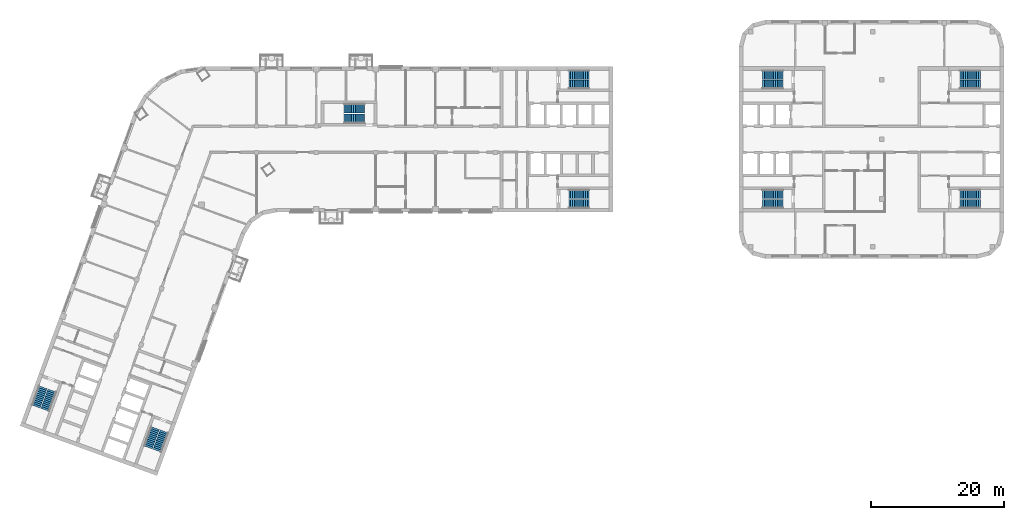
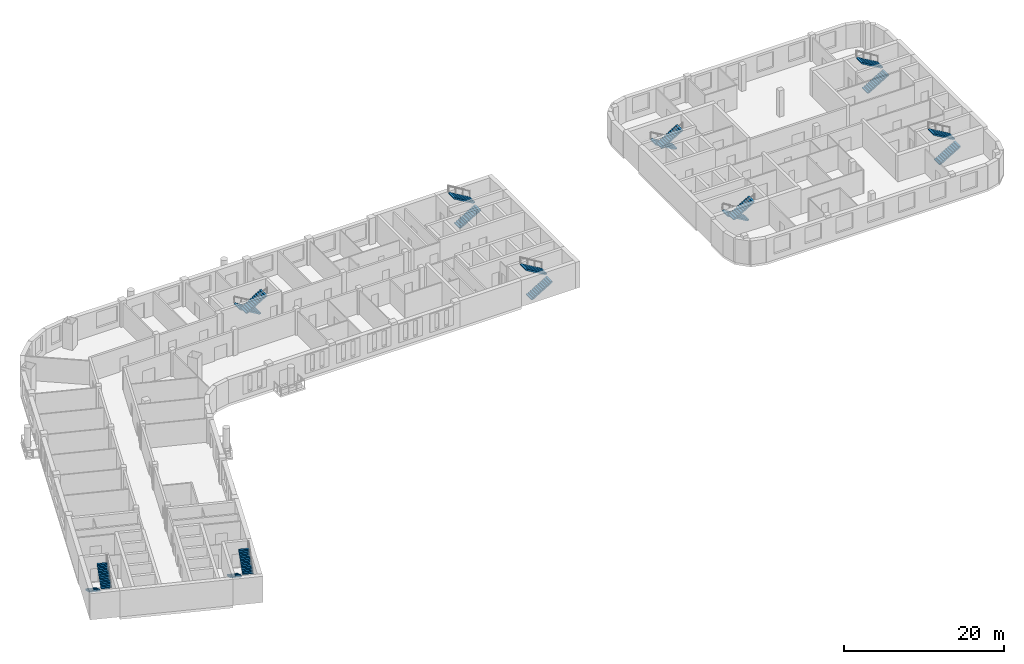
# One storey, part 11 of 16: 18 stair flights, 9 elements without a shape of their own.
"""IFC4 building model written with IfcOpenShell, lengths in metres."""

from ifc_helpers import new_model, si_unit, direction, frame, origin, place, context, subcontext, project, spatial, polyline, outline, extrude, material, type_object, element, aggregate, save


model = new_model("IFC4")

# Units and contexts
model_context = context("Model", 3, precision=1e-05, world=origin(), true_north=direction((0.0, 1.0)))
body_context = subcontext(model_context, "Body", "Model", "MODEL_VIEW")
ifc_project = project(units=[si_unit("LENGTHUNIT", "METRE"), si_unit("AREAUNIT", "SQUARE_METRE"), si_unit("VOLUMEUNIT", "CUBIC_METRE"), si_unit("PLANEANGLEUNIT", "RADIAN"), si_unit("MASSUNIT", "GRAM", prefix="KILO")], contexts=[model_context])

# Site, building, storey
site_placement = place(None, origin())
site = spatial("IfcSite", under=ifc_project, at=site_placement, CompositionType="ELEMENT")
building_placement = place(site_placement, origin())
building = spatial("IfcBuilding", under=site, at=building_placement, Name="Skarvind Civic Tower", CompositionType="ELEMENT")
storey_placement = place(building_placement, frame((0.0, 0.0, 81.0)))
storey = spatial("IfcBuildingStorey", under=building, at=storey_placement, Name="L18", CompositionType="ELEMENT", Elevation=81.0)

# Stair, stair flights
ifc_material = material(Name="Concrete C40/50", Category="concrete")
stair_type_1 = type_object("IfcStairType", Name="Exit stair 1450, half-turn, concrete", PredefinedType="HALF_TURN_STAIR", material=ifc_material)
stair_1_placement = place(storey_placement, origin())
stair_1 = element("IfcStair", 1, at=stair_1_placement, inside=storey, type_object=stair_type_1, Name="Exit stair CM", PredefinedType="HALF_TURN_STAIR")
stair_flight_type_1 = type_object("IfcStairFlightType", Name="Stair flight 1450, concrete", PredefinedType="STRAIGHT", material=ifc_material)
stair_flight_1_placement = place(storey_placement, frame((70.550048828125, 132.675048828125, 0.0), z_axis=(0.0, 0.0, 1.0), x_axis=(-1.0, 0.0, 0.0)))
stair_flight_1 = element("IfcStairFlight", 2, at=stair_flight_1_placement, type_object=stair_flight_type_1, Name="ST-CM flight 1", NumberOfRisers=12, NumberOfTreads=11, PredefinedType="STRAIGHT", RiserHeight=0.166666667, TreadLength=0.28, context=body_context, shape_type="SweptSolid", body=[
    extrude(outline(polyline([(0.0, 0.0), (0.0, 0.166748046875), (0.280029296875, 0.166748046875), (0.280029296875, 0.333251953125), (0.56005859375, 0.333251953125), (0.56005859375, 0.5), (0.840087890625, 0.5), (0.840087890625, 0.666748046875), (1.1201171875, 0.666748046875), (1.1201171875, 0.833251953125), (1.39990234375, 0.833251953125), (1.39990234375, 1.0), (1.679931640625, 1.0), (1.679931640625, 1.166748046875), (1.9599609375, 1.166748046875), (1.9599609375, 1.333251953125), (2.239990234375, 1.333251953125), (2.239990234375, 1.5), (2.52001953125, 1.5), (2.52001953125, 1.666748046875), (2.800048828125, 1.666748046875), (2.800048828125, 1.833251953125), (3.080078125, 1.833251953125), (3.080078125, 2.0), (3.080078125, 1.658935546875), (0.29296875, 0.0), (0.0, 0.0)])), frame((0.0, 0.72509765625, 0.0), z_axis=(0.0, -1.0, 0.0), x_axis=(1.0, 0.0, 0.0)), (0.0, 0.0, 1.0), 1.449951171875),
])
stair_flight_2_placement = place(storey_placement, frame((67.469970703125, 131.125, 2.0), z_axis=(0.0, 0.0, 1.0), x_axis=(1.0, 0.0, 0.0)))
stair_flight_2 = element("IfcStairFlight", 3, at=stair_flight_2_placement, type_object=stair_flight_type_1, Name="ST-CM flight 2", NumberOfRisers=12, NumberOfTreads=11, PredefinedType="STRAIGHT", RiserHeight=0.166666667, TreadLength=0.28, context=body_context, shape_type="SweptSolid", body=[
    extrude(outline(polyline([(0.0, 0.0), (0.0, 0.166748046875), (0.280029296875, 0.166748046875), (0.280029296875, 0.333251953125), (0.56005859375, 0.333251953125), (0.56005859375, 0.5), (0.840087890625, 0.5), (0.840087890625, 0.666748046875), (1.1201171875, 0.666748046875), (1.1201171875, 0.833251953125), (1.39990234375, 0.833251953125), (1.39990234375, 1.0), (1.679931640625, 1.0), (1.679931640625, 1.166748046875), (1.9599609375, 1.166748046875), (1.9599609375, 1.333251953125), (2.239990234375, 1.333251953125), (2.239990234375, 1.5), (2.52001953125, 1.5), (2.52001953125, 1.666748046875), (2.800048828125, 1.666748046875), (2.800048828125, 1.833251953125), (3.080078125, 1.833251953125), (3.080078125, 2.0), (3.080078125, 1.658935546875), (0.29296875, 0.0), (0.0, 0.0)])), frame((0.0, 0.72509765625, 0.0), z_axis=(0.0, -1.0, 0.0), x_axis=(1.0, 0.0, 0.0)), (0.0, 0.0, 1.0), 1.449951171875),
])
aggregate(stair_1, [stair_flight_1, stair_flight_2])

stair_type_2 = type_object("IfcStairType", Name="Exit stair, half-turn, concrete", PredefinedType="HALF_TURN_STAIR", material=ifc_material)
stair_2_placement = place(storey_placement, origin())
stair_2 = element("IfcStair", 4, at=stair_2_placement, inside=storey, type_object=stair_type_2, Name="Exit stair C1S", PredefinedType="HALF_TURN_STAIR")
stair_flight_type_2 = type_object("IfcStairFlightType", Name="Stair flight, concrete", PredefinedType="STRAIGHT", material=ifc_material)
stair_flight_3_placement = place(storey_placement, frame((101.35009765625, 136.27490234375, 0.0), z_axis=(0.0, 0.0, 1.0), x_axis=(1.0, 0.0, 0.0)))
stair_flight_3 = element("IfcStairFlight", 5, at=stair_flight_3_placement, type_object=stair_flight_type_2, Name="ST-C1S flight 1", NumberOfRisers=12, NumberOfTreads=11, PredefinedType="STRAIGHT", RiserHeight=0.166666667, TreadLength=0.28, context=body_context, shape_type="SweptSolid", body=[
    extrude(outline(polyline([(0.0, 0.0), (0.0, 0.166748046875), (0.280029296875, 0.166748046875), (0.280029296875, 0.333251953125), (0.56005859375, 0.333251953125), (0.56005859375, 0.5), (0.840087890625, 0.5), (0.840087890625, 0.666748046875), (1.1201171875, 0.666748046875), (1.1201171875, 0.833251953125), (1.39990234375, 0.833251953125), (1.39990234375, 1.0), (1.679931640625, 1.0), (1.679931640625, 1.166748046875), (1.9599609375, 1.166748046875), (1.9599609375, 1.333251953125), (2.239990234375, 1.333251953125), (2.239990234375, 1.5), (2.52001953125, 1.5), (2.52001953125, 1.666748046875), (2.800048828125, 1.666748046875), (2.800048828125, 1.833251953125), (3.080078125, 1.833251953125), (3.080078125, 2.0), (3.080078125, 1.658935546875), (0.29296875, 0.0), (0.0, 0.0)])), frame((0.0, 0.675048828125, 0.0), z_axis=(0.0, -1.0, 0.0), x_axis=(1.0, 0.0, 0.0)), (0.0, 0.0, 1.0), 1.35009765625),
])
stair_flight_4_placement = place(storey_placement, frame((104.429931640625, 137.72509765625, 2.0), z_axis=(0.0, 0.0, 1.0), x_axis=(-1.0, 0.0, 0.0)))
stair_flight_4 = element("IfcStairFlight", 6, at=stair_flight_4_placement, type_object=stair_flight_type_2, Name="ST-C1S flight 2", NumberOfRisers=12, NumberOfTreads=11, PredefinedType="STRAIGHT", RiserHeight=0.166666667, TreadLength=0.28, context=body_context, shape_type="SweptSolid", body=[
    extrude(outline(polyline([(0.0, 0.0), (0.0, 0.166748046875), (0.280029296875, 0.166748046875), (0.280029296875, 0.333251953125), (0.56005859375, 0.333251953125), (0.56005859375, 0.5), (0.840087890625, 0.5), (0.840087890625, 0.666748046875), (1.1201171875, 0.666748046875), (1.1201171875, 0.833251953125), (1.39990234375, 0.833251953125), (1.39990234375, 1.0), (1.679931640625, 1.0), (1.679931640625, 1.166748046875), (1.9599609375, 1.166748046875), (1.9599609375, 1.333251953125), (2.239990234375, 1.333251953125), (2.239990234375, 1.5), (2.52001953125, 1.5), (2.52001953125, 1.666748046875), (2.800048828125, 1.666748046875), (2.800048828125, 1.833251953125), (3.080078125, 1.833251953125), (3.080078125, 2.0), (3.080078125, 1.658935546875), (0.29296875, 0.0), (0.0, 0.0)])), frame((0.0, 0.675048828125, 0.0), z_axis=(0.0, -1.0, 0.0), x_axis=(1.0, 0.0, 0.0)), (0.0, 0.0, 1.0), 1.35009765625),
])
aggregate(stair_2, [stair_flight_3, stair_flight_4])

stair_3_placement = place(storey_placement, origin())
stair_3 = element("IfcStair", 7, at=stair_3_placement, inside=storey, type_object=stair_type_2, Name="Exit stair C1N", PredefinedType="HALF_TURN_STAIR")
stair_flight_5_placement = place(storey_placement, frame((101.35009765625, 118.27490234375, 0.0), z_axis=(0.0, 0.0, 1.0), x_axis=(1.0, 0.0, 0.0)))
stair_flight_5 = element("IfcStairFlight", 8, at=stair_flight_5_placement, type_object=stair_flight_type_2, Name="ST-C1N flight 1", NumberOfRisers=12, NumberOfTreads=11, PredefinedType="STRAIGHT", RiserHeight=0.166666667, TreadLength=0.28, context=body_context, shape_type="SweptSolid", body=[
    extrude(outline(polyline([(0.0, 0.0), (0.0, 0.166748046875), (0.280029296875, 0.166748046875), (0.280029296875, 0.333251953125), (0.56005859375, 0.333251953125), (0.56005859375, 0.5), (0.840087890625, 0.5), (0.840087890625, 0.666748046875), (1.1201171875, 0.666748046875), (1.1201171875, 0.833251953125), (1.39990234375, 0.833251953125), (1.39990234375, 1.0), (1.679931640625, 1.0), (1.679931640625, 1.166748046875), (1.9599609375, 1.166748046875), (1.9599609375, 1.333251953125), (2.239990234375, 1.333251953125), (2.239990234375, 1.5), (2.52001953125, 1.5), (2.52001953125, 1.666748046875), (2.800048828125, 1.666748046875), (2.800048828125, 1.833251953125), (3.080078125, 1.833251953125), (3.080078125, 2.0), (3.080078125, 1.658935546875), (0.29296875, 0.0), (0.0, 0.0)])), frame((0.0, 0.675048828125, 0.0), z_axis=(0.0, -1.0, 0.0), x_axis=(1.0, 0.0, 0.0)), (0.0, 0.0, 1.0), 1.35009765625),
])
stair_flight_6_placement = place(storey_placement, frame((104.429931640625, 119.72509765625, 2.0), z_axis=(0.0, 0.0, 1.0), x_axis=(-1.0, 0.0, 0.0)))
stair_flight_6 = element("IfcStairFlight", 9, at=stair_flight_6_placement, type_object=stair_flight_type_2, Name="ST-C1N flight 2", NumberOfRisers=12, NumberOfTreads=11, PredefinedType="STRAIGHT", RiserHeight=0.166666667, TreadLength=0.28, context=body_context, shape_type="SweptSolid", body=[
    extrude(outline(polyline([(0.0, 0.0), (0.0, 0.166748046875), (0.280029296875, 0.166748046875), (0.280029296875, 0.333251953125), (0.56005859375, 0.333251953125), (0.56005859375, 0.5), (0.840087890625, 0.5), (0.840087890625, 0.666748046875), (1.1201171875, 0.666748046875), (1.1201171875, 0.833251953125), (1.39990234375, 0.833251953125), (1.39990234375, 1.0), (1.679931640625, 1.0), (1.679931640625, 1.166748046875), (1.9599609375, 1.166748046875), (1.9599609375, 1.333251953125), (2.239990234375, 1.333251953125), (2.239990234375, 1.5), (2.52001953125, 1.5), (2.52001953125, 1.666748046875), (2.800048828125, 1.666748046875), (2.800048828125, 1.833251953125), (3.080078125, 1.833251953125), (3.080078125, 2.0), (3.080078125, 1.658935546875), (0.29296875, 0.0), (0.0, 0.0)])), frame((0.0, 0.675048828125, 0.0), z_axis=(0.0, -1.0, 0.0), x_axis=(1.0, 0.0, 0.0)), (0.0, 0.0, 1.0), 1.35009765625),
])
aggregate(stair_3, [stair_flight_5, stair_flight_6])

stair_4_placement = place(storey_placement, origin())
stair_4 = element("IfcStair", 10, at=stair_4_placement, inside=storey, type_object=stair_type_2, Name="Exit stair C2S", PredefinedType="HALF_TURN_STAIR")
stair_flight_7_placement = place(storey_placement, frame((38.949462890625, 84.43408203125, 0.0), z_axis=(0.0, 0.0, 1.0), x_axis=(-0.342020143326, -0.939692620786, 0.0)))
stair_flight_7 = element("IfcStairFlight", 11, at=stair_flight_7_placement, type_object=stair_flight_type_2, Name="ST-C2S flight 1", NumberOfRisers=12, NumberOfTreads=11, PredefinedType="STRAIGHT", RiserHeight=0.166666667, TreadLength=0.28, context=body_context, shape_type="SweptSolid", body=[
    extrude(outline(polyline([(0.0, 0.0), (0.0, 0.166748046875), (0.280029296875, 0.166748046875), (0.280029296875, 0.333251953125), (0.56005859375, 0.333251953125), (0.56005859375, 0.5), (0.840087890625, 0.5), (0.840087890625, 0.666748046875), (1.1201171875, 0.666748046875), (1.1201171875, 0.833251953125), (1.39990234375, 0.833251953125), (1.39990234375, 1.0), (1.679931640625, 1.0), (1.679931640625, 1.166748046875), (1.9599609375, 1.166748046875), (1.9599609375, 1.333251953125), (2.239990234375, 1.333251953125), (2.239990234375, 1.5), (2.52001953125, 1.5), (2.52001953125, 1.666748046875), (2.800048828125, 1.666748046875), (2.800048828125, 1.833251953125), (3.080078125, 1.833251953125), (3.080078125, 2.0), (3.080078125, 1.658935546875), (0.29296875, 0.0), (0.0, 0.0)])), frame((0.0, 0.675048828125, 0.0), z_axis=(0.0, -1.0, 0.0), x_axis=(1.0, 0.0, 0.0)), (0.0, 0.0, 1.0), 1.35009765625),
])
stair_flight_8_placement = place(storey_placement, frame((39.258544921875, 81.0439453125, 2.0), z_axis=(0.0, 0.0, 1.0), x_axis=(0.342020143326, 0.939692620786, 0.0)))
stair_flight_8 = element("IfcStairFlight", 12, at=stair_flight_8_placement, type_object=stair_flight_type_2, Name="ST-C2S flight 2", NumberOfRisers=12, NumberOfTreads=11, PredefinedType="STRAIGHT", RiserHeight=0.166666667, TreadLength=0.28, context=body_context, shape_type="SweptSolid", body=[
    extrude(outline(polyline([(0.0, 0.0), (0.0, 0.166748046875), (0.280029296875, 0.166748046875), (0.280029296875, 0.333251953125), (0.56005859375, 0.333251953125), (0.56005859375, 0.5), (0.840087890625, 0.5), (0.840087890625, 0.666748046875), (1.1201171875, 0.666748046875), (1.1201171875, 0.833251953125), (1.39990234375, 0.833251953125), (1.39990234375, 1.0), (1.679931640625, 1.0), (1.679931640625, 1.166748046875), (1.9599609375, 1.166748046875), (1.9599609375, 1.333251953125), (2.239990234375, 1.333251953125), (2.239990234375, 1.5), (2.52001953125, 1.5), (2.52001953125, 1.666748046875), (2.800048828125, 1.666748046875), (2.800048828125, 1.833251953125), (3.080078125, 1.833251953125), (3.080078125, 2.0), (3.080078125, 1.658935546875), (0.29296875, 0.0), (0.0, 0.0)])), frame((0.0, 0.675048828125, 0.0), z_axis=(0.0, -1.0, 0.0), x_axis=(1.0, 0.0, 0.0)), (0.0, 0.0, 1.0), 1.35009765625),
])
aggregate(stair_4, [stair_flight_7, stair_flight_8])

stair_5_placement = place(storey_placement, origin())
stair_5 = element("IfcStair", 13, at=stair_5_placement, inside=storey, type_object=stair_type_2, Name="Exit stair C2N", PredefinedType="HALF_TURN_STAIR")
stair_flight_9_placement = place(storey_placement, frame((22.034912109375, 90.590576171875, 0.0), z_axis=(0.0, 0.0, 1.0), x_axis=(-0.342020143326, -0.939692620786, 0.0)))
stair_flight_9 = element("IfcStairFlight", 14, at=stair_flight_9_placement, type_object=stair_flight_type_2, Name="ST-C2N flight 1", NumberOfRisers=12, NumberOfTreads=11, PredefinedType="STRAIGHT", RiserHeight=0.166666667, TreadLength=0.28, context=body_context, shape_type="SweptSolid", body=[
    extrude(outline(polyline([(0.0, 0.0), (0.0, 0.166748046875), (0.280029296875, 0.166748046875), (0.280029296875, 0.333251953125), (0.56005859375, 0.333251953125), (0.56005859375, 0.5), (0.840087890625, 0.5), (0.840087890625, 0.666748046875), (1.1201171875, 0.666748046875), (1.1201171875, 0.833251953125), (1.39990234375, 0.833251953125), (1.39990234375, 1.0), (1.679931640625, 1.0), (1.679931640625, 1.166748046875), (1.9599609375, 1.166748046875), (1.9599609375, 1.333251953125), (2.239990234375, 1.333251953125), (2.239990234375, 1.5), (2.52001953125, 1.5), (2.52001953125, 1.666748046875), (2.800048828125, 1.666748046875), (2.800048828125, 1.833251953125), (3.080078125, 1.833251953125), (3.080078125, 2.0), (3.080078125, 1.658935546875), (0.29296875, 0.0), (0.0, 0.0)])), frame((0.0, 0.675048828125, 0.0), z_axis=(0.0, -1.0, 0.0), x_axis=(1.0, 0.0, 0.0)), (0.0, 0.0, 1.0), 1.35009765625),
])
stair_flight_10_placement = place(storey_placement, frame((22.343994140625, 87.2001953125, 2.0), z_axis=(0.0, 0.0, 1.0), x_axis=(0.342020143326, 0.939692620786, 0.0)))
stair_flight_10 = element("IfcStairFlight", 15, at=stair_flight_10_placement, type_object=stair_flight_type_2, Name="ST-C2N flight 2", NumberOfRisers=12, NumberOfTreads=11, PredefinedType="STRAIGHT", RiserHeight=0.166666667, TreadLength=0.28, context=body_context, shape_type="SweptSolid", body=[
    extrude(outline(polyline([(0.0, 0.0), (0.0, 0.166748046875), (0.280029296875, 0.166748046875), (0.280029296875, 0.333251953125), (0.56005859375, 0.333251953125), (0.56005859375, 0.5), (0.840087890625, 0.5), (0.840087890625, 0.666748046875), (1.1201171875, 0.666748046875), (1.1201171875, 0.833251953125), (1.39990234375, 0.833251953125), (1.39990234375, 1.0), (1.679931640625, 1.0), (1.679931640625, 1.166748046875), (1.9599609375, 1.166748046875), (1.9599609375, 1.333251953125), (2.239990234375, 1.333251953125), (2.239990234375, 1.5), (2.52001953125, 1.5), (2.52001953125, 1.666748046875), (2.800048828125, 1.666748046875), (2.800048828125, 1.833251953125), (3.080078125, 1.833251953125), (3.080078125, 2.0), (3.080078125, 1.658935546875), (0.29296875, 0.0), (0.0, 0.0)])), frame((0.0, 0.675048828125, 0.0), z_axis=(0.0, -1.0, 0.0), x_axis=(1.0, 0.0, 0.0)), (0.0, 0.0, 1.0), 1.35009765625),
])
aggregate(stair_5, [stair_flight_9, stair_flight_10])

stair_6_placement = place(storey_placement, origin())
stair_6 = element("IfcStair", 16, at=stair_6_placement, inside=storey, type_object=stair_type_2, Name="Exit stair CAS", PredefinedType="HALF_TURN_STAIR")
stair_flight_11_placement = place(storey_placement, frame((133.64990234375, 119.72509765625, 0.0), z_axis=(0.0, 0.0, 1.0), x_axis=(-1.0, 0.0, 0.0)))
stair_flight_11 = element("IfcStairFlight", 17, at=stair_flight_11_placement, type_object=stair_flight_type_2, Name="ST-CAS flight 1", NumberOfRisers=12, NumberOfTreads=11, PredefinedType="STRAIGHT", RiserHeight=0.166666667, TreadLength=0.28, context=body_context, shape_type="SweptSolid", body=[
    extrude(outline(polyline([(0.0, 0.0), (0.0, 0.166748046875), (0.280029296875, 0.166748046875), (0.280029296875, 0.333251953125), (0.56005859375, 0.333251953125), (0.56005859375, 0.5), (0.840087890625, 0.5), (0.840087890625, 0.666748046875), (1.1201171875, 0.666748046875), (1.1201171875, 0.833251953125), (1.39990234375, 0.833251953125), (1.39990234375, 1.0), (1.679931640625, 1.0), (1.679931640625, 1.166748046875), (1.9599609375, 1.166748046875), (1.9599609375, 1.333251953125), (2.239990234375, 1.333251953125), (2.239990234375, 1.5), (2.52001953125, 1.5), (2.52001953125, 1.666748046875), (2.800048828125, 1.666748046875), (2.800048828125, 1.833251953125), (3.080078125, 1.833251953125), (3.080078125, 2.0), (3.080078125, 1.658935546875), (0.29296875, 0.0), (0.0, 0.0)])), frame((0.0, 0.675048828125, 0.0), z_axis=(0.0, -1.0, 0.0), x_axis=(1.0, 0.0, 0.0)), (0.0, 0.0, 1.0), 1.35009765625),
])
stair_flight_12_placement = place(storey_placement, frame((130.570068359375, 118.27490234375, 2.0), z_axis=(0.0, 0.0, 1.0), x_axis=(1.0, 0.0, 0.0)))
stair_flight_12 = element("IfcStairFlight", 18, at=stair_flight_12_placement, type_object=stair_flight_type_2, Name="ST-CAS flight 2", NumberOfRisers=12, NumberOfTreads=11, PredefinedType="STRAIGHT", RiserHeight=0.166666667, TreadLength=0.28, context=body_context, shape_type="SweptSolid", body=[
    extrude(outline(polyline([(0.0, 0.0), (0.0, 0.166748046875), (0.280029296875, 0.166748046875), (0.280029296875, 0.333251953125), (0.56005859375, 0.333251953125), (0.56005859375, 0.5), (0.840087890625, 0.5), (0.840087890625, 0.666748046875), (1.1201171875, 0.666748046875), (1.1201171875, 0.833251953125), (1.39990234375, 0.833251953125), (1.39990234375, 1.0), (1.679931640625, 1.0), (1.679931640625, 1.166748046875), (1.9599609375, 1.166748046875), (1.9599609375, 1.333251953125), (2.239990234375, 1.333251953125), (2.239990234375, 1.5), (2.52001953125, 1.5), (2.52001953125, 1.666748046875), (2.800048828125, 1.666748046875), (2.800048828125, 1.833251953125), (3.080078125, 1.833251953125), (3.080078125, 2.0), (3.080078125, 1.658935546875), (0.29296875, 0.0), (0.0, 0.0)])), frame((0.0, 0.675048828125, 0.0), z_axis=(0.0, -1.0, 0.0), x_axis=(1.0, 0.0, 0.0)), (0.0, 0.0, 1.0), 1.35009765625),
])
aggregate(stair_6, [stair_flight_11, stair_flight_12])

stair_7_placement = place(storey_placement, origin())
stair_7 = element("IfcStair", 19, at=stair_7_placement, inside=storey, type_object=stair_type_2, Name="Exit stair CAN", PredefinedType="HALF_TURN_STAIR")
stair_flight_13_placement = place(storey_placement, frame((133.64990234375, 137.72509765625, 0.0), z_axis=(0.0, 0.0, 1.0), x_axis=(-1.0, 0.0, 0.0)))
stair_flight_13 = element("IfcStairFlight", 20, at=stair_flight_13_placement, type_object=stair_flight_type_2, Name="ST-CAN flight 1", NumberOfRisers=12, NumberOfTreads=11, PredefinedType="STRAIGHT", RiserHeight=0.166666667, TreadLength=0.28, context=body_context, shape_type="SweptSolid", body=[
    extrude(outline(polyline([(0.0, 0.0), (0.0, 0.166748046875), (0.280029296875, 0.166748046875), (0.280029296875, 0.333251953125), (0.56005859375, 0.333251953125), (0.56005859375, 0.5), (0.840087890625, 0.5), (0.840087890625, 0.666748046875), (1.1201171875, 0.666748046875), (1.1201171875, 0.833251953125), (1.39990234375, 0.833251953125), (1.39990234375, 1.0), (1.679931640625, 1.0), (1.679931640625, 1.166748046875), (1.9599609375, 1.166748046875), (1.9599609375, 1.333251953125), (2.239990234375, 1.333251953125), (2.239990234375, 1.5), (2.52001953125, 1.5), (2.52001953125, 1.666748046875), (2.800048828125, 1.666748046875), (2.800048828125, 1.833251953125), (3.080078125, 1.833251953125), (3.080078125, 2.0), (3.080078125, 1.658935546875), (0.29296875, 0.0), (0.0, 0.0)])), frame((0.0, 0.675048828125, 0.0), z_axis=(0.0, -1.0, 0.0), x_axis=(1.0, 0.0, 0.0)), (0.0, 0.0, 1.0), 1.35009765625),
])
stair_flight_14_placement = place(storey_placement, frame((130.570068359375, 136.27490234375, 2.0), z_axis=(0.0, 0.0, 1.0), x_axis=(1.0, 0.0, 0.0)))
stair_flight_14 = element("IfcStairFlight", 21, at=stair_flight_14_placement, type_object=stair_flight_type_2, Name="ST-CAN flight 2", NumberOfRisers=12, NumberOfTreads=11, PredefinedType="STRAIGHT", RiserHeight=0.166666667, TreadLength=0.28, context=body_context, shape_type="SweptSolid", body=[
    extrude(outline(polyline([(0.0, 0.0), (0.0, 0.166748046875), (0.280029296875, 0.166748046875), (0.280029296875, 0.333251953125), (0.56005859375, 0.333251953125), (0.56005859375, 0.5), (0.840087890625, 0.5), (0.840087890625, 0.666748046875), (1.1201171875, 0.666748046875), (1.1201171875, 0.833251953125), (1.39990234375, 0.833251953125), (1.39990234375, 1.0), (1.679931640625, 1.0), (1.679931640625, 1.166748046875), (1.9599609375, 1.166748046875), (1.9599609375, 1.333251953125), (2.239990234375, 1.333251953125), (2.239990234375, 1.5), (2.52001953125, 1.5), (2.52001953125, 1.666748046875), (2.800048828125, 1.666748046875), (2.800048828125, 1.833251953125), (3.080078125, 1.833251953125), (3.080078125, 2.0), (3.080078125, 1.658935546875), (0.29296875, 0.0), (0.0, 0.0)])), frame((0.0, 0.675048828125, 0.0), z_axis=(0.0, -1.0, 0.0), x_axis=(1.0, 0.0, 0.0)), (0.0, 0.0, 1.0), 1.35009765625),
])
aggregate(stair_7, [stair_flight_13, stair_flight_14])

stair_8_placement = place(storey_placement, origin())
stair_8 = element("IfcStair", 22, at=stair_8_placement, inside=storey, type_object=stair_type_2, Name="Exit stair CBS", PredefinedType="HALF_TURN_STAIR")
stair_flight_15_placement = place(storey_placement, frame((160.35009765625, 136.27490234375, 0.0), z_axis=(0.0, 0.0, 1.0), x_axis=(1.0, 0.0, 0.0)))
stair_flight_15 = element("IfcStairFlight", 23, at=stair_flight_15_placement, type_object=stair_flight_type_2, Name="ST-CBS flight 1", NumberOfRisers=12, NumberOfTreads=11, PredefinedType="STRAIGHT", RiserHeight=0.166666667, TreadLength=0.28, context=body_context, shape_type="SweptSolid", body=[
    extrude(outline(polyline([(0.0, 0.0), (0.0, 0.166748046875), (0.280029296875, 0.166748046875), (0.280029296875, 0.333251953125), (0.56005859375, 0.333251953125), (0.56005859375, 0.5), (0.840087890625, 0.5), (0.840087890625, 0.666748046875), (1.1201171875, 0.666748046875), (1.1201171875, 0.833251953125), (1.39990234375, 0.833251953125), (1.39990234375, 1.0), (1.679931640625, 1.0), (1.679931640625, 1.166748046875), (1.9599609375, 1.166748046875), (1.9599609375, 1.333251953125), (2.239990234375, 1.333251953125), (2.239990234375, 1.5), (2.52001953125, 1.5), (2.52001953125, 1.666748046875), (2.800048828125, 1.666748046875), (2.800048828125, 1.833251953125), (3.080078125, 1.833251953125), (3.080078125, 2.0), (3.080078125, 1.658935546875), (0.29296875, 0.0), (0.0, 0.0)])), frame((0.0, 0.675048828125, 0.0), z_axis=(0.0, -1.0, 0.0), x_axis=(1.0, 0.0, 0.0)), (0.0, 0.0, 1.0), 1.35009765625),
])
stair_flight_16_placement = place(storey_placement, frame((163.429931640625, 137.72509765625, 2.0), z_axis=(0.0, 0.0, 1.0), x_axis=(-1.0, 0.0, 0.0)))
stair_flight_16 = element("IfcStairFlight", 24, at=stair_flight_16_placement, type_object=stair_flight_type_2, Name="ST-CBS flight 2", NumberOfRisers=12, NumberOfTreads=11, PredefinedType="STRAIGHT", RiserHeight=0.166666667, TreadLength=0.28, context=body_context, shape_type="SweptSolid", body=[
    extrude(outline(polyline([(0.0, 0.0), (0.0, 0.166748046875), (0.280029296875, 0.166748046875), (0.280029296875, 0.333251953125), (0.56005859375, 0.333251953125), (0.56005859375, 0.5), (0.840087890625, 0.5), (0.840087890625, 0.666748046875), (1.1201171875, 0.666748046875), (1.1201171875, 0.833251953125), (1.39990234375, 0.833251953125), (1.39990234375, 1.0), (1.679931640625, 1.0), (1.679931640625, 1.166748046875), (1.9599609375, 1.166748046875), (1.9599609375, 1.333251953125), (2.239990234375, 1.333251953125), (2.239990234375, 1.5), (2.52001953125, 1.5), (2.52001953125, 1.666748046875), (2.800048828125, 1.666748046875), (2.800048828125, 1.833251953125), (3.080078125, 1.833251953125), (3.080078125, 2.0), (3.080078125, 1.658935546875), (0.29296875, 0.0), (0.0, 0.0)])), frame((0.0, 0.675048828125, 0.0), z_axis=(0.0, -1.0, 0.0), x_axis=(1.0, 0.0, 0.0)), (0.0, 0.0, 1.0), 1.35009765625),
])
aggregate(stair_8, [stair_flight_15, stair_flight_16])

stair_9_placement = place(storey_placement, origin())
stair_9 = element("IfcStair", 25, at=stair_9_placement, inside=storey, type_object=stair_type_2, Name="Exit stair CBN", PredefinedType="HALF_TURN_STAIR")
stair_flight_17_placement = place(storey_placement, frame((160.35009765625, 118.27490234375, 0.0), z_axis=(0.0, 0.0, 1.0), x_axis=(1.0, 0.0, 0.0)))
stair_flight_17 = element("IfcStairFlight", 26, at=stair_flight_17_placement, type_object=stair_flight_type_2, Name="ST-CBN flight 1", NumberOfRisers=12, NumberOfTreads=11, PredefinedType="STRAIGHT", RiserHeight=0.166666667, TreadLength=0.28, context=body_context, shape_type="SweptSolid", body=[
    extrude(outline(polyline([(0.0, 0.0), (0.0, 0.166748046875), (0.280029296875, 0.166748046875), (0.280029296875, 0.333251953125), (0.56005859375, 0.333251953125), (0.56005859375, 0.5), (0.840087890625, 0.5), (0.840087890625, 0.666748046875), (1.1201171875, 0.666748046875), (1.1201171875, 0.833251953125), (1.39990234375, 0.833251953125), (1.39990234375, 1.0), (1.679931640625, 1.0), (1.679931640625, 1.166748046875), (1.9599609375, 1.166748046875), (1.9599609375, 1.333251953125), (2.239990234375, 1.333251953125), (2.239990234375, 1.5), (2.52001953125, 1.5), (2.52001953125, 1.666748046875), (2.800048828125, 1.666748046875), (2.800048828125, 1.833251953125), (3.080078125, 1.833251953125), (3.080078125, 2.0), (3.080078125, 1.658935546875), (0.29296875, 0.0), (0.0, 0.0)])), frame((0.0, 0.675048828125, 0.0), z_axis=(0.0, -1.0, 0.0), x_axis=(1.0, 0.0, 0.0)), (0.0, 0.0, 1.0), 1.35009765625),
])
stair_flight_18_placement = place(storey_placement, frame((163.429931640625, 119.72509765625, 2.0), z_axis=(0.0, 0.0, 1.0), x_axis=(-1.0, 0.0, 0.0)))
stair_flight_18 = element("IfcStairFlight", 27, at=stair_flight_18_placement, type_object=stair_flight_type_2, Name="ST-CBN flight 2", NumberOfRisers=12, NumberOfTreads=11, PredefinedType="STRAIGHT", RiserHeight=0.166666667, TreadLength=0.28, context=body_context, shape_type="SweptSolid", body=[
    extrude(outline(polyline([(0.0, 0.0), (0.0, 0.166748046875), (0.280029296875, 0.166748046875), (0.280029296875, 0.333251953125), (0.56005859375, 0.333251953125), (0.56005859375, 0.5), (0.840087890625, 0.5), (0.840087890625, 0.666748046875), (1.1201171875, 0.666748046875), (1.1201171875, 0.833251953125), (1.39990234375, 0.833251953125), (1.39990234375, 1.0), (1.679931640625, 1.0), (1.679931640625, 1.166748046875), (1.9599609375, 1.166748046875), (1.9599609375, 1.333251953125), (2.239990234375, 1.333251953125), (2.239990234375, 1.5), (2.52001953125, 1.5), (2.52001953125, 1.666748046875), (2.800048828125, 1.666748046875), (2.800048828125, 1.833251953125), (3.080078125, 1.833251953125), (3.080078125, 2.0), (3.080078125, 1.658935546875), (0.29296875, 0.0), (0.0, 0.0)])), frame((0.0, 0.675048828125, 0.0), z_axis=(0.0, -1.0, 0.0), x_axis=(1.0, 0.0, 0.0)), (0.0, 0.0, 1.0), 1.35009765625),
])
aggregate(stair_9, [stair_flight_17, stair_flight_18])

save(model, "model.ifc")
